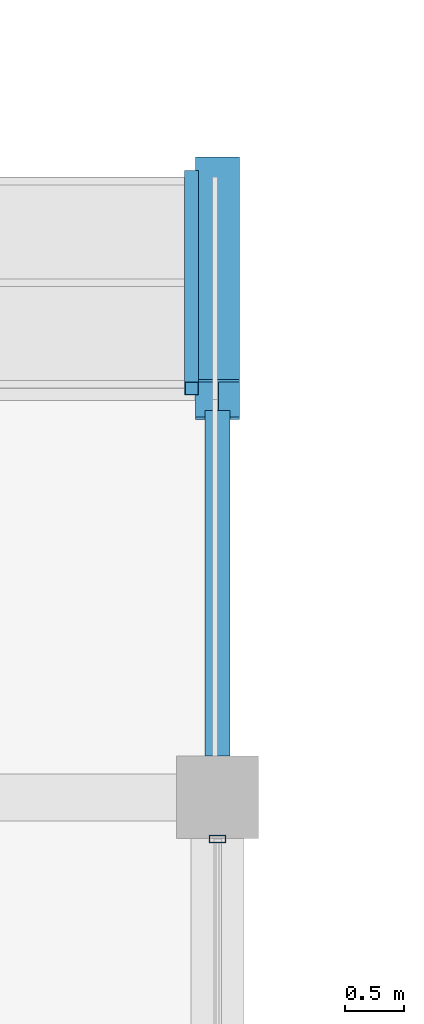
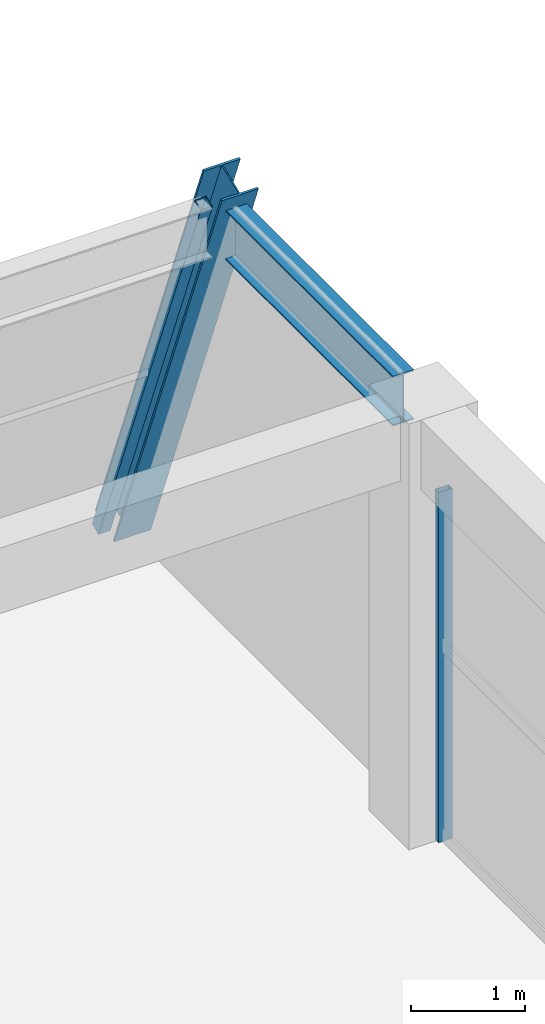
# One storey, part 83 of 161: 3 members, 1 beam, 2 elements without a shape of their own.
"""IFC4 building model written with IfcOpenShell, lengths in metres."""

import ifcopenshell
import ifcopenshell.guid

model = None  # the IFC model being written
_history = None  # IfcOwnerHistory: only IFC2X3 demands one
_inside = {}  # id of a spatial element -> (the spatial element, [elements in it])
_under = {}  # id of a project, library or spatial element -> (it, [spatial elements below it])
_declared = {}  # id of a project -> (the project, [libraries it declares])
_typed = {}  # id of a type object -> (the type object, [elements of that type])
_made_of = {}  # id of a material, layer set ... -> (it, [elements and type objects made of it])


def new_model(schema):
    """Start an empty IFC model of exactly this schema.

    Asked for "IFC4X3", IfcOpenShell would pick the latest addendum, in which some entities
    have other attributes; the version numbers below select the first issue.
    IFC2X3 requires an IfcOwnerHistory on every rooted entity: one is made here for all.
    """
    global model, _history
    if schema == "IFC4X3":
        model = ifcopenshell.file(schema_version=(4, 3, 0, 0))
    else:
        model = ifcopenshell.file(schema=schema)
    _inside.clear()
    _under.clear()
    _declared.clear()
    _typed.clear()
    _made_of.clear()
    _history = None
    if model.schema == "IFC2X3":
        org = make("IfcOrganization", Name="unknown")
        user = make(
            "IfcPersonAndOrganization",
            ThePerson=make("IfcPerson", FamilyName="unknown"),
            TheOrganization=org,
        )
        app = make(
            "IfcApplication",
            ApplicationDeveloper=org,
            Version="unknown",
            ApplicationFullName="unknown",
            ApplicationIdentifier="unknown",
        )
        _history = make(
            "IfcOwnerHistory",
            OwningUser=user,
            OwningApplication=app,
            ChangeAction="ADDED",
            CreationDate=0,
        )
    return model


def make(cls, **values):
    """One entity of the class cls with the attributes given. An attribute that is None is left unset."""
    return model.create_entity(
        cls, **{name: value for name, value in values.items() if value is not None}
    )


def rooted(cls, **values):
    """An entity with a GlobalId (a new one), such as an element, a storey or a relation."""
    return make(cls, GlobalId=ifcopenshell.guid.new(), OwnerHistory=_history, **values)


def si_unit(unit_type, name, prefix=None):
    """IfcSIUnit, for example si_unit("LENGTHUNIT", "METRE", prefix="MILLI")."""
    return make("IfcSIUnit", UnitType=unit_type, Prefix=prefix, Name=name)


def assignment(units):
    """IfcUnitAssignment: the units of a project."""
    return None if units is None else make("IfcUnitAssignment", Units=units)


def point(xyz):
    """IfcCartesianPoint."""
    return None if xyz is None else make("IfcCartesianPoint", Coordinates=xyz)


def direction(xyz):
    """IfcDirection."""
    return None if xyz is None else make("IfcDirection", DirectionRatios=xyz)


def frame(location, z_axis=None, x_axis=None):
    """IfcAxis2Placement3D, a coordinate frame: its origin and axes. An axis left out is left unset."""
    return make(
        "IfcAxis2Placement3D",
        Location=point(location),
        Axis=direction(z_axis),
        RefDirection=direction(x_axis),
    )


def frame_2d(location, x_axis=None):
    """IfcAxis2Placement2D, a coordinate frame in the plane: its origin and x axis."""
    return make(
        "IfcAxis2Placement2D", Location=point(location), RefDirection=direction(x_axis)
    )


def origin():
    """The frame at (0, 0, 0) with its axes left unset."""
    return frame((0.0, 0.0, 0.0))


def origin_2d():
    """The frame at (0, 0) in the plane with its x axis left unset."""
    return frame_2d((0.0, 0.0))


def place(relative_to, where):
    """IfcLocalPlacement: puts the frame where relative to a parent placement (None: the world)."""
    return make(
        "IfcLocalPlacement", PlacementRelTo=relative_to, RelativePlacement=where
    )


def context(
    kind, dimensions, precision=None, world=None, true_north=None, identifier=None
):
    """IfcGeometricRepresentationContext, for example the 3D "Model" context."""
    return make(
        "IfcGeometricRepresentationContext",
        ContextIdentifier=identifier,
        ContextType=kind,
        CoordinateSpaceDimension=dimensions,
        Precision=precision,
        WorldCoordinateSystem=world,
        TrueNorth=true_north,
    )


def subcontext(parent, identifier, kind, view, scale=None):
    """IfcGeometricRepresentationSubContext, for example "Body" below "Model"."""
    return make(
        "IfcGeometricRepresentationSubContext",
        ContextIdentifier=identifier,
        ContextType=kind,
        ParentContext=parent,
        TargetScale=scale,
        TargetView=view,
    )


def project(units=None, contexts=None):
    """IfcProject with its units and contexts."""
    return rooted(
        "IfcProject",
        Name="project",
        RepresentationContexts=contexts,
        UnitsInContext=assignment(units),
    )


def spatial(cls, under=None, at=None, **own):
    """A site, building, storey or space (cls), placed at a placement, below another one or the project."""
    s = rooted(cls, ObjectPlacement=at, **own)
    if under is not None:
        _under.setdefault(under.id(), (under, []))[1].append(s)
    return s


def profile(cls, at=None, kind="AREA", **sizes):
    """A parametric profile (cls). Its sizes go by their IFC names, for example OverallWidth=200.0."""
    return make(cls, ProfileType=kind, Position=at, **sizes)


def hollow_rectangle(**sizes):
    """IfcRectangleHollowProfileDef."""
    return profile("IfcRectangleHollowProfileDef", **sizes)


def i_section(**sizes):
    """IfcIShapeProfileDef."""
    return profile("IfcIShapeProfileDef", **sizes)


def extrude(swept, where, along, depth):
    """IfcExtrudedAreaSolid: the profile swept, set in the frame where, extruded along a direction by depth."""
    return make(
        "IfcExtrudedAreaSolid",
        SweptArea=swept,
        Position=where,
        ExtrudedDirection=direction(along),
        Depth=depth,
    )


def shape(context_of_items, identifier, shape_type, items):
    """IfcShapeRepresentation: the items that make up one representation, for example the "Body"."""
    return make(
        "IfcShapeRepresentation",
        ContextOfItems=context_of_items,
        RepresentationIdentifier=identifier,
        RepresentationType=shape_type,
        Items=items,
    )


def material(Name=None, Category=None):
    """IfcMaterial."""
    return make("IfcMaterial", Name=Name, Category=Category)


def material_profile(
    of_material, cross_section, Name=None, Category=None, Priority=None
):
    """IfcMaterialProfile: a cross section and its material."""
    return make(
        "IfcMaterialProfile",
        Name=Name,
        Material=of_material,
        Profile=cross_section,
        Priority=Priority,
        Category=Category,
    )


def profile_set(profiles, Name=None, composite=None):
    """IfcMaterialProfileSet."""
    return make(
        "IfcMaterialProfileSet",
        Name=Name,
        MaterialProfiles=profiles,
        CompositeProfile=composite,
    )


def made_of(thing, what):
    """Note that an element or type object is made of a material, layer set ...; save() writes the relation."""
    if what is not None:
        _made_of.setdefault(what.id(), (what, []))[1].append(thing)
    return thing


def type_object(cls, material=None, **own):
    """A type object (cls), such as IfcWallType, which elements share."""
    return made_of(rooted(cls, **own), material)


def element(
    cls,
    number,
    at=None,
    inside=None,
    cuts=None,
    type_object=None,
    material=None,
    context=None,
    identifier="Body",
    shape_type=None,
    held_by="IfcProductDefinitionShape",
    body=None,
    shapes=None,
    **own,
):
    """One element of the class cls, such as IfcWall. Its Tag is "e" and its number.

    at: its placement. inside: the storey or other place that contains it. cuts: it is an
    opening in that element (IfcRelVoidsElement). A single representation is given by context,
    identifier, shape_type and body (its items); several are given by shapes. held_by: the class
    of the entity that holds the representations. save() writes the other relations.
    """
    e = rooted(cls, Tag="e%d" % number, ObjectPlacement=at, **own)
    if body is not None:
        shapes = [shape(context, identifier, shape_type, body)]
    if shapes is not None:
        e.Representation = make(held_by, Representations=shapes)
    if inside is not None:
        _inside.setdefault(inside.id(), (inside, []))[1].append(e)
    if cuts is not None:
        rooted(
            "IfcRelVoidsElement", RelatingBuildingElement=cuts, RelatedOpeningElement=e
        )
    if type_object is not None:
        _typed.setdefault(type_object.id(), (type_object, []))[1].append(e)
    return made_of(e, material)


def aggregate(whole, parts):
    """IfcRelAggregates: a whole, such as a stair, and the parts it consists of."""
    return rooted("IfcRelAggregates", RelatingObject=whole, RelatedObjects=parts)


def save(model, path):
    """Write the relations noted so far, then the file.

    IfcRelAggregates (storeys below a building ...), IfcRelContainedInSpatialStructure (elements
    in a storey), IfcRelDefinesByType, IfcRelAssociatesMaterial and IfcRelDeclares: one each for
    every whole, place, type object, material and project.
    """
    for whole, parts in _under.values():
        aggregate(whole, parts)
    for where, things in _inside.values():
        rooted(
            "IfcRelContainedInSpatialStructure",
            RelatedElements=things,
            RelatingStructure=where,
        )
    for kind, things in _typed.values():
        rooted("IfcRelDefinesByType", RelatedObjects=things, RelatingType=kind)
    for what, things in _made_of.values():
        rooted("IfcRelAssociatesMaterial", RelatedObjects=things, RelatingMaterial=what)
    for by, libraries in _declared.values():
        rooted("IfcRelDeclares", RelatingContext=by, RelatedDefinitions=libraries)
    model.write(path)


model = new_model("IFC4")

# Units and contexts
model_context = context("Model", 3, precision=1e-05, world=origin(), true_north=direction((0.0, 1.0)))
body_context = subcontext(model_context, "Body", "Model", "MODEL_VIEW")
ifc_project = project(units=[si_unit("LENGTHUNIT", "METRE"), si_unit("AREAUNIT", "SQUARE_METRE"), si_unit("VOLUMEUNIT", "CUBIC_METRE"), si_unit("PLANEANGLEUNIT", "RADIAN"), si_unit("MASSUNIT", "GRAM", prefix="KILO")], contexts=[model_context])

# Site, building, storey
site_placement = place(None, origin())
site = spatial("IfcSite", under=ifc_project, at=site_placement, CompositionType="ELEMENT")
building_placement = place(site_placement, origin())
building = spatial("IfcBuilding", under=site, at=building_placement, Name="Cimatlan Art Gallery", CompositionType="ELEMENT")
storey_placement = place(building_placement, frame((0.0, 0.0, 5.39990234375)))
storey = spatial("IfcBuildingStorey", under=building, at=storey_placement, Name="L01", CompositionType="ELEMENT", Elevation=5.39990234375)

# Beam
ifc_material_1 = material(Name="Steel ASTM A992 Grade 50", Category="steel")
ifc_material_profile_1 = material_profile(ifc_material_1, i_section(OverallWidth=0.2099609375, OverallDepth=0.532958984375, WebThickness=0.01025390625, FlangeThickness=0.015625, at=origin_2d()), Name="W21X62")
ifc_profile_set_1 = profile_set([ifc_material_profile_1], Name="Steel ASTM A992 Grade 50")
beam_type = type_object("IfcBeamType", Name="BM-STL-W21X62", PredefinedType="BEAM", material=ifc_profile_set_1)
beam_placement = place(storey_placement, frame((50.60009765625, 98.25, 4.293701171875), z_axis=(0.0, 1.0, 0.0), x_axis=(-1.0, 0.0, 0.0)))
element("IfcBeam", 1, at=beam_placement, inside=storey, type_object=beam_type, Name="BM-PRW-Y-L01-B2-6", PredefinedType="BEAM", context=body_context, shape_type="SweptSolid", body=[
    extrude(i_section(OverallWidth=0.2099609375, OverallDepth=0.532958984375, WebThickness=0.01025390625, FlangeThickness=0.015625, at=origin_2d()), origin(), (0.0, 0.0, 1.0), 2.936767578125),
])

# Curtain wall, member
ifc_material_2 = material(Name="Anodised bronze unitised curtain wall")
curtain_wall_type_1 = type_object("IfcCurtainWallType", Name="CW-V-06692X03750-B3", PredefinedType="NOTDEFINED", material=ifc_material_2)
curtain_wall_1_placement = place(storey_placement, origin())
curtain_wall_1 = element("IfcCurtainWall", 2, at=curtain_wall_1_placement, inside=storey, type_object=curtain_wall_type_1, Name="CW-L01-05-12-E", PredefinedType="NOTDEFINED")
ifc_material_3 = material(Name="Anodised bronze aluminium 6063-T6", Category="aluminium")
ifc_material_profile_2 = material_profile(ifc_material_3, hollow_rectangle(XDim=0.06494140625, YDim=0.139892578125, WallThickness=0.00390625, at=origin_2d()), Name="ALU65X140X4")
ifc_profile_set_2 = profile_set([ifc_material_profile_2], Name="Anodised bronze aluminium 6063-T6")
member_type_1 = type_object("IfcMemberType", Name="CW-MUL-140", PredefinedType="MULLION", material=ifc_profile_set_2)
member_1_placement = place(storey_placement, frame((50.60009765625, 97.5458984375, 0.0), z_axis=(0.0, 0.0, 1.0), x_axis=(0.0, 1.0, 0.0)))
member_1 = element("IfcMember", 3, at=member_1_placement, type_object=member_type_1, Name="CW-L01-05-12-E-M1", PredefinedType="MULLION", context=body_context, shape_type="SweptSolid", body=[
    extrude(hollow_rectangle(XDim=0.06494140625, YDim=0.139892578125, WallThickness=0.00390625, at=origin_2d()), origin(), (0.0, 0.0, 1.0), 3.75),
])
aggregate(curtain_wall_1, [member_1])

ifc_material_4 = material(Name="Raked steel-and-bronze lancet curtain wall", Category="steel")
curtain_wall_type_2 = type_object("IfcCurtainWallType", Name="CW-RAK-07660X04901-B3", PredefinedType="NOTDEFINED", material=ifc_material_4)
curtain_wall_2_placement = place(storey_placement, origin())
curtain_wall_2 = element("IfcCurtainWall", 4, at=curtain_wall_2_placement, inside=storey, type_object=curtain_wall_type_2, Name="CW-PROW-L01-B2-5", PredefinedType="NOTDEFINED")
ifc_material_5 = material(Name="Steel ASTM A500 Grade C", Category="steel")
ifc_material_profile_3 = material_profile(ifc_material_5, hollow_rectangle(XDim=0.1201171875, YDim=0.1201171875, WallThickness=0.00634765625, at=origin_2d()), Name="HSS120X120X6")
ifc_profile_set_3 = profile_set([ifc_material_profile_3], Name="Steel ASTM A500 Grade C")
member_type_2 = type_object("IfcMemberType", Name="CW-MUL-RAK", PredefinedType="MULLION", material=ifc_profile_set_3)
member_2_placement = place(storey_placement, frame((50.3798828125, 103.1728515625, 0.0), z_axis=(0.0, -0.366481396036, 0.930425379254), x_axis=(1.0, 0.0, 0.0)))
member_2 = element("IfcMember", 5, at=member_2_placement, type_object=member_type_2, Name="CW-PROW-L01-B2-5-M4", PredefinedType="MULLION", context=body_context, shape_type="SweptSolid", body=[
    extrude(hollow_rectangle(XDim=0.1201171875, YDim=0.1201171875, WallThickness=0.00634765625, at=origin_2d()), origin(), (0.0, 0.0, 1.0), 4.901123046875),
])
aggregate(curtain_wall_2, [member_2])

# Member
ifc_material_profile_4 = material_profile(ifc_material_1, i_section(OverallWidth=0.37109375, OverallDepth=0.364013671875, WebThickness=0.01318359375, FlangeThickness=0.021728515625, at=origin_2d()), Name="W14X109")
ifc_profile_set_4 = profile_set([ifc_material_profile_4], Name="Steel ASTM A992 Grade 50")
member_type_3 = type_object("IfcMemberType", Name="MBR-RAK-W14X109", PredefinedType="RAFTER", material=ifc_profile_set_4)
member_3_placement = place(storey_placement, frame((50.60009765625, 103.1728515625, 0.0), z_axis=(0.0, -0.366514587358, 0.930412304978), x_axis=(1.0, 0.0, 0.0)))
element("IfcMember", 6, at=member_3_placement, inside=storey, type_object=member_type_3, Name="MBR-RAK-L01-B2-06", PredefinedType="RAFTER", context=body_context, shape_type="SweptSolid", body=[
    extrude(i_section(OverallWidth=0.37109375, OverallDepth=0.364013671875, WebThickness=0.01318359375, FlangeThickness=0.021728515625, at=origin_2d()), origin(), (0.0, 0.0, 1.0), 5.158935546875),
])

save(model, "model.ifc")
